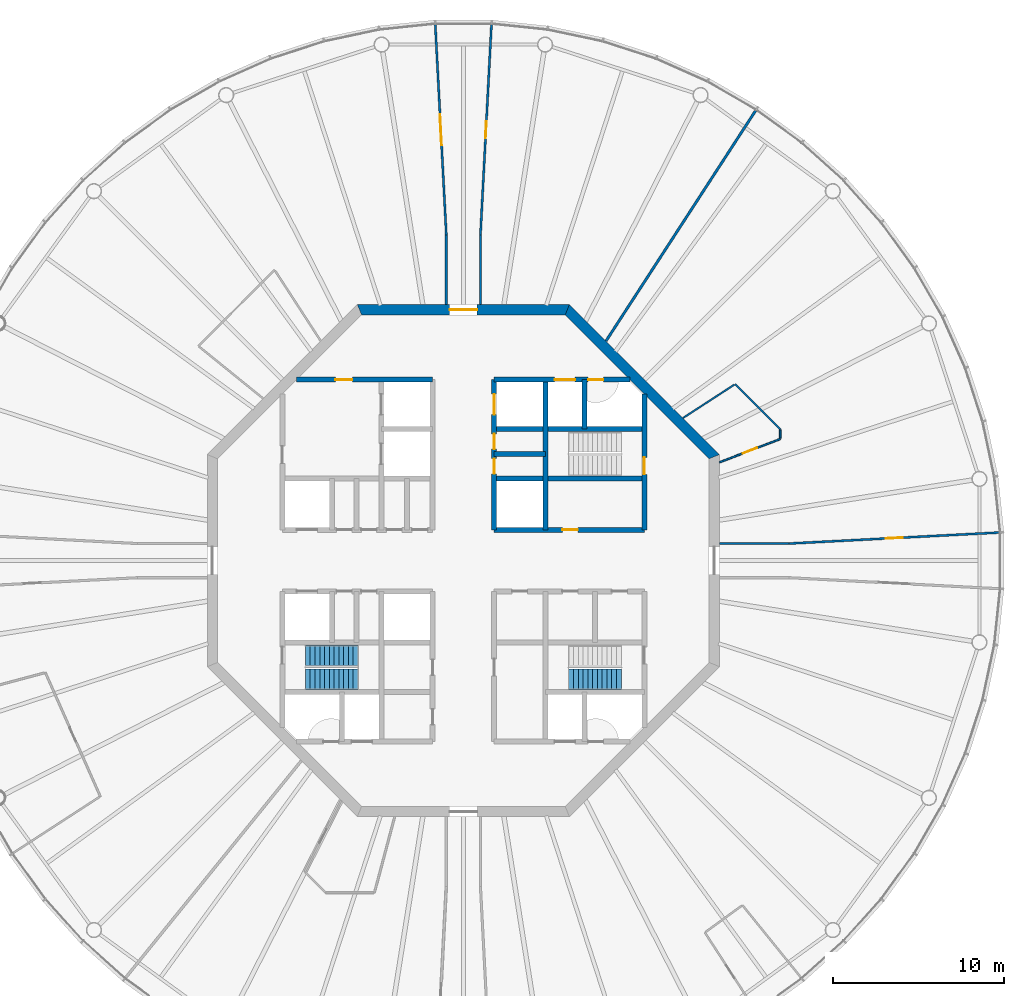
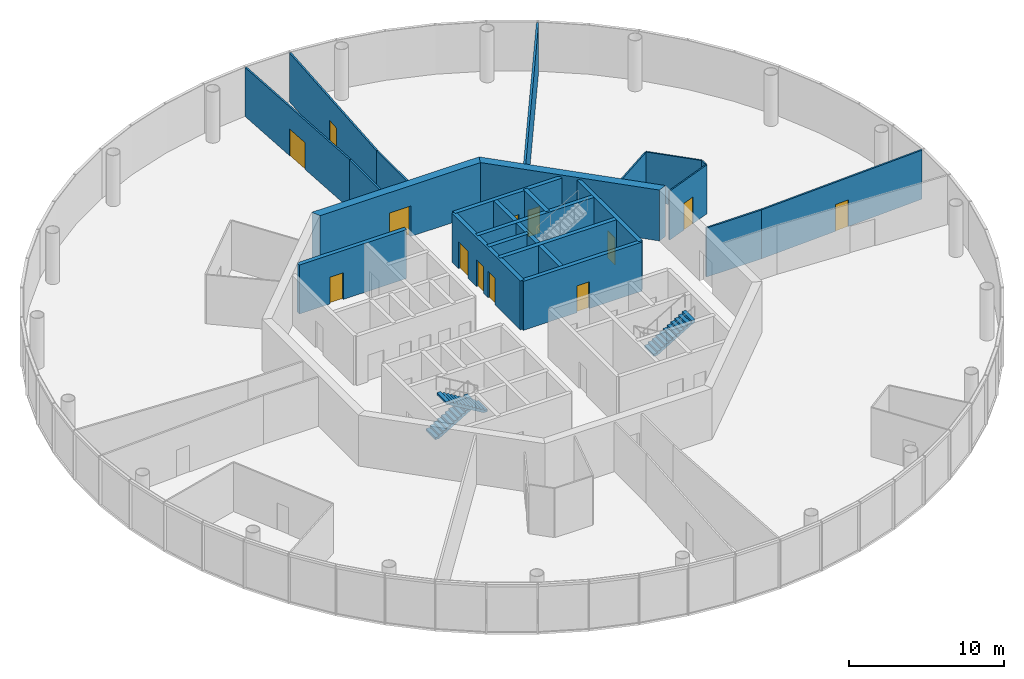
# One storey, part 5 of 13: 23 walls, 13 doors, 3 stair flights, 13 openings, 2 elements without a shape of their own.
"""IFC4 building model written with IfcOpenShell, lengths in metres."""

import ifcopenshell
import ifcopenshell.guid

model = None  # the IFC model being written
_history = None  # IfcOwnerHistory: only IFC2X3 demands one
_inside = {}  # id of a spatial element -> (the spatial element, [elements in it])
_under = {}  # id of a project, library or spatial element -> (it, [spatial elements below it])
_declared = {}  # id of a project -> (the project, [libraries it declares])
_typed = {}  # id of a type object -> (the type object, [elements of that type])
_made_of = {}  # id of a material, layer set ... -> (it, [elements and type objects made of it])


def new_model(schema):
    """Start an empty IFC model of exactly this schema.

    Asked for "IFC4X3", IfcOpenShell would pick the latest addendum, in which some entities
    have other attributes; the version numbers below select the first issue.
    IFC2X3 requires an IfcOwnerHistory on every rooted entity: one is made here for all.
    """
    global model, _history
    if schema == "IFC4X3":
        model = ifcopenshell.file(schema_version=(4, 3, 0, 0))
    else:
        model = ifcopenshell.file(schema=schema)
    _inside.clear()
    _under.clear()
    _declared.clear()
    _typed.clear()
    _made_of.clear()
    _history = None
    if model.schema == "IFC2X3":
        org = make("IfcOrganization", Name="unknown")
        user = make(
            "IfcPersonAndOrganization",
            ThePerson=make("IfcPerson", FamilyName="unknown"),
            TheOrganization=org,
        )
        app = make(
            "IfcApplication",
            ApplicationDeveloper=org,
            Version="unknown",
            ApplicationFullName="unknown",
            ApplicationIdentifier="unknown",
        )
        _history = make(
            "IfcOwnerHistory",
            OwningUser=user,
            OwningApplication=app,
            ChangeAction="ADDED",
            CreationDate=0,
        )
    return model


def make(cls, **values):
    """One entity of the class cls with the attributes given. An attribute that is None is left unset."""
    return model.create_entity(
        cls, **{name: value for name, value in values.items() if value is not None}
    )


def rooted(cls, **values):
    """An entity with a GlobalId (a new one), such as an element, a storey or a relation."""
    return make(cls, GlobalId=ifcopenshell.guid.new(), OwnerHistory=_history, **values)


def si_unit(unit_type, name, prefix=None):
    """IfcSIUnit, for example si_unit("LENGTHUNIT", "METRE", prefix="MILLI")."""
    return make("IfcSIUnit", UnitType=unit_type, Prefix=prefix, Name=name)


def assignment(units):
    """IfcUnitAssignment: the units of a project."""
    return None if units is None else make("IfcUnitAssignment", Units=units)


def point(xyz):
    """IfcCartesianPoint."""
    return None if xyz is None else make("IfcCartesianPoint", Coordinates=xyz)


def direction(xyz):
    """IfcDirection."""
    return None if xyz is None else make("IfcDirection", DirectionRatios=xyz)


def frame(location, z_axis=None, x_axis=None):
    """IfcAxis2Placement3D, a coordinate frame: its origin and axes. An axis left out is left unset."""
    return make(
        "IfcAxis2Placement3D",
        Location=point(location),
        Axis=direction(z_axis),
        RefDirection=direction(x_axis),
    )


def frame_2d(location, x_axis=None):
    """IfcAxis2Placement2D, a coordinate frame in the plane: its origin and x axis."""
    return make(
        "IfcAxis2Placement2D", Location=point(location), RefDirection=direction(x_axis)
    )


def origin():
    """The frame at (0, 0, 0) with its axes left unset."""
    return frame((0.0, 0.0, 0.0))


def place(relative_to, where):
    """IfcLocalPlacement: puts the frame where relative to a parent placement (None: the world)."""
    return make(
        "IfcLocalPlacement", PlacementRelTo=relative_to, RelativePlacement=where
    )


def context(
    kind, dimensions, precision=None, world=None, true_north=None, identifier=None
):
    """IfcGeometricRepresentationContext, for example the 3D "Model" context."""
    return make(
        "IfcGeometricRepresentationContext",
        ContextIdentifier=identifier,
        ContextType=kind,
        CoordinateSpaceDimension=dimensions,
        Precision=precision,
        WorldCoordinateSystem=world,
        TrueNorth=true_north,
    )


def subcontext(parent, identifier, kind, view, scale=None):
    """IfcGeometricRepresentationSubContext, for example "Body" below "Model"."""
    return make(
        "IfcGeometricRepresentationSubContext",
        ContextIdentifier=identifier,
        ContextType=kind,
        ParentContext=parent,
        TargetScale=scale,
        TargetView=view,
    )


def project(units=None, contexts=None):
    """IfcProject with its units and contexts."""
    return rooted(
        "IfcProject",
        Name="project",
        RepresentationContexts=contexts,
        UnitsInContext=assignment(units),
    )


def spatial(cls, under=None, at=None, **own):
    """A site, building, storey or space (cls), placed at a placement, below another one or the project."""
    s = rooted(cls, ObjectPlacement=at, **own)
    if under is not None:
        _under.setdefault(under.id(), (under, []))[1].append(s)
    return s


def polyline(points):
    """IfcPolyline through the points."""
    return make("IfcPolyline", Points=[point(p) for p in points])


def profile(cls, at=None, kind="AREA", **sizes):
    """A parametric profile (cls). Its sizes go by their IFC names, for example OverallWidth=200.0."""
    return make(cls, ProfileType=kind, Position=at, **sizes)


def rectangle(**sizes):
    """IfcRectangleProfileDef."""
    return profile("IfcRectangleProfileDef", **sizes)


def outline(outer, holes=None, kind="AREA"):
    """IfcArbitraryClosedProfileDef: a profile drawn as a closed curve; with holes, ...WithVoids."""
    if holes is None:
        return make("IfcArbitraryClosedProfileDef", ProfileType=kind, OuterCurve=outer)
    return make(
        "IfcArbitraryProfileDefWithVoids",
        ProfileType=kind,
        OuterCurve=outer,
        InnerCurves=holes,
    )


def extrude(swept, where, along, depth):
    """IfcExtrudedAreaSolid: the profile swept, set in the frame where, extruded along a direction by depth."""
    return make(
        "IfcExtrudedAreaSolid",
        SweptArea=swept,
        Position=where,
        ExtrudedDirection=direction(along),
        Depth=depth,
    )


def shape(context_of_items, identifier, shape_type, items):
    """IfcShapeRepresentation: the items that make up one representation, for example the "Body"."""
    return make(
        "IfcShapeRepresentation",
        ContextOfItems=context_of_items,
        RepresentationIdentifier=identifier,
        RepresentationType=shape_type,
        Items=items,
    )


def material(Name=None, Category=None):
    """IfcMaterial."""
    return make("IfcMaterial", Name=Name, Category=Category)


def layer(
    of_material, thickness, ventilated=None, Name=None, Category=None, Priority=None
):
    """IfcMaterialLayer: one layer of a wall or slab, of a material (None: an air gap)."""
    return make(
        "IfcMaterialLayer",
        Material=of_material,
        LayerThickness=thickness,
        IsVentilated=ventilated,
        Name=Name,
        Category=Category,
        Priority=Priority,
    )


def layer_set(layers, Name=None):
    """IfcMaterialLayerSet."""
    return make("IfcMaterialLayerSet", MaterialLayers=layers, LayerSetName=Name)


def made_of(thing, what):
    """Note that an element or type object is made of a material, layer set ...; save() writes the relation."""
    if what is not None:
        _made_of.setdefault(what.id(), (what, []))[1].append(thing)
    return thing


def type_object(cls, material=None, **own):
    """A type object (cls), such as IfcWallType, which elements share."""
    return made_of(rooted(cls, **own), material)


def element(
    cls,
    number,
    at=None,
    inside=None,
    cuts=None,
    type_object=None,
    material=None,
    context=None,
    identifier="Body",
    shape_type=None,
    held_by="IfcProductDefinitionShape",
    body=None,
    shapes=None,
    **own,
):
    """One element of the class cls, such as IfcWall. Its Tag is "e" and its number.

    at: its placement. inside: the storey or other place that contains it. cuts: it is an
    opening in that element (IfcRelVoidsElement). A single representation is given by context,
    identifier, shape_type and body (its items); several are given by shapes. held_by: the class
    of the entity that holds the representations. save() writes the other relations.
    """
    e = rooted(cls, Tag="e%d" % number, ObjectPlacement=at, **own)
    if body is not None:
        shapes = [shape(context, identifier, shape_type, body)]
    if shapes is not None:
        e.Representation = make(held_by, Representations=shapes)
    if inside is not None:
        _inside.setdefault(inside.id(), (inside, []))[1].append(e)
    if cuts is not None:
        rooted(
            "IfcRelVoidsElement", RelatingBuildingElement=cuts, RelatedOpeningElement=e
        )
    if type_object is not None:
        _typed.setdefault(type_object.id(), (type_object, []))[1].append(e)
    return made_of(e, material)


def fill(opening, filler):
    """IfcRelFillsElement: the door or window that sits in an opening."""
    return rooted(
        "IfcRelFillsElement",
        RelatingOpeningElement=opening,
        RelatedBuildingElement=filler,
    )


def aggregate(whole, parts):
    """IfcRelAggregates: a whole, such as a stair, and the parts it consists of."""
    return rooted("IfcRelAggregates", RelatingObject=whole, RelatedObjects=parts)


def save(model, path):
    """Write the relations noted so far, then the file.

    IfcRelAggregates (storeys below a building ...), IfcRelContainedInSpatialStructure (elements
    in a storey), IfcRelDefinesByType, IfcRelAssociatesMaterial and IfcRelDeclares: one each for
    every whole, place, type object, material and project.
    """
    for whole, parts in _under.values():
        aggregate(whole, parts)
    for where, things in _inside.values():
        rooted(
            "IfcRelContainedInSpatialStructure",
            RelatedElements=things,
            RelatingStructure=where,
        )
    for kind, things in _typed.values():
        rooted("IfcRelDefinesByType", RelatedObjects=things, RelatingType=kind)
    for what, things in _made_of.values():
        rooted("IfcRelAssociatesMaterial", RelatedObjects=things, RelatingMaterial=what)
    for by, libraries in _declared.values():
        rooted("IfcRelDeclares", RelatingContext=by, RelatedDefinitions=libraries)
    model.write(path)


model = new_model("IFC4")

# Units and contexts
model_context = context("Model", 3, precision=1e-05, world=origin(), true_north=direction((0.0, 1.0)))
body_context = subcontext(model_context, "Body", "Model", "MODEL_VIEW")
ifc_project = project(units=[si_unit("LENGTHUNIT", "METRE"), si_unit("AREAUNIT", "SQUARE_METRE"), si_unit("VOLUMEUNIT", "CUBIC_METRE"), si_unit("PLANEANGLEUNIT", "RADIAN"), si_unit("MASSUNIT", "GRAM", prefix="KILO")], contexts=[model_context])

# Site, building, storey
site_placement = place(None, origin())
site = spatial("IfcSite", under=ifc_project, at=site_placement, CompositionType="ELEMENT")
building_placement = place(site_placement, origin())
building = spatial("IfcBuilding", under=site, at=building_placement, Name="Entoto Ring Tower", CompositionType="ELEMENT")
storey_placement = place(building_placement, frame((0.0, 0.0, 380.0)))
storey = spatial("IfcBuildingStorey", under=building, at=storey_placement, Name="L88", CompositionType="ELEMENT", Elevation=380.0)

# Wall, opening, door
ifc_material_1 = material(Name="Concrete C40/50", Category="concrete")
ifc_layer_1 = layer(ifc_material_1, 0.300048828125)
ifc_layer_set_1 = layer_set([ifc_layer_1], Name="Concrete C40/50")
wall_type_1 = type_object("IfcWallType", Name="Core enclosure wall 300 mm reinforced concrete", PredefinedType="SOLIDWALL", material=ifc_layer_set_1)
wall_1_placement = place(storey_placement, frame((100.60009765625, 81.800048828125, 0.0), z_axis=(0.0, 0.0, 1.0), x_axis=(0.0, 1.0, 0.0)))
wall_1 = element("IfcWall", 1, at=wall_1_placement, inside=storey, type_object=wall_type_1, Name="wall-L88-002", PredefinedType="SOLIDWALL", context=body_context, shape_type="SweptSolid", body=[
    extrude(rectangle(XDim=7.964599609375, YDim=0.300048828125, at=frame_2d((3.982421875, 0.0))), origin(), (0.0, 0.0, 1.0), 3.85009765625),
])
opening_1_placement = place(wall_1_placement, frame((3.25, 0.0, 0.0)))
opening_1 = element("IfcOpeningElement", 2, at=opening_1_placement, cuts=wall_1, Name="Opening K-26", PredefinedType="OPENING", context=body_context, shape_type="SweptSolid", body=[
    extrude(rectangle(XDim=1.0, YDim=2.10009765625, at=frame_2d((0.5, 1.050048828125))), frame((0.0, 0.16015625, 0.0), z_axis=(0.0, -1.0, 0.0), x_axis=(1.0, 0.0, 0.0)), (0.0, 0.0, 1.0), 0.320068359375),
])
ifc_material_2 = material(Name="Steel door leaf, fire rated", Category="steel")
ifc_layer_2 = layer(ifc_material_2, 0.050048828125)
ifc_layer_set_2 = layer_set([ifc_layer_2], Name="Steel door leaf, fire rated")
door_type_1 = type_object("IfcDoorType", Name="Fire door FD60 1000 x 2100 single leaf", OperationType="NOTDEFINED", PredefinedType="DOOR", material=ifc_layer_set_2)
door_1_placement = place(opening_1_placement, origin())
door_1 = element("IfcDoor", 3, at=door_1_placement, inside=storey, type_object=door_type_1, Name="Door K-26", OperationType="SINGLE_SWING_LEFT", OverallHeight=2.10009765625, OverallWidth=1.0, PredefinedType="DOOR", context=body_context, shape_type="SweptSolid", body=[
    extrude(rectangle(XDim=1.0, YDim=2.10009765625, at=frame_2d((0.5, 1.050048828125))), frame((0.0, 0.02490234375, 0.0), z_axis=(0.0, -1.0, 0.0), x_axis=(1.0, 0.0, 0.0)), (0.0, 0.0, 1.0), 0.050048828125),
])
fill(opening_1, door_1)

# Walls
wall_2_placement = place(storey_placement, frame((97.10009765625, 87.699951171875, 0.0), z_axis=(0.0, 0.0, 1.0), x_axis=(0.0, 1.0, 0.0)))
element("IfcWall", 4, at=wall_2_placement, inside=storey, type_object=wall_type_1, Name="wall-L88-005", PredefinedType="SOLIDWALL", context=body_context, shape_type="SweptSolid", body=[
    extrude(rectangle(XDim=2.900146484375, YDim=0.300048828125, at=frame_2d((1.4501953125, 0.0))), origin(), (0.0, 0.0, 1.0), 3.85009765625),
])
wall_3_placement = place(storey_placement, frame((94.800048828125, 81.800048828125, 0.0), z_axis=(0.0, 0.0, 1.0), x_axis=(0.0, 1.0, 0.0)))
element("IfcWall", 5, at=wall_3_placement, inside=storey, type_object=wall_type_1, Name="wall-L88-007", PredefinedType="SOLIDWALL", context=body_context, shape_type="SweptSolid", body=[
    extrude(rectangle(XDim=8.800048828125, YDim=0.300048828125, at=frame_2d((4.39990234375, 0.0))), origin(), (0.0, 0.0, 1.0), 3.85009765625),
])

# Wall, openings, doors
wall_4_placement = place(storey_placement, frame((91.800048828125, 81.800048828125, 0.0), z_axis=(0.0, 0.0, 1.0), x_axis=(0.0, 1.0, 0.0)))
wall_4 = element("IfcWall", 6, at=wall_4_placement, inside=storey, type_object=wall_type_1, Name="wall-L88-009", PredefinedType="SOLIDWALL", context=body_context, shape_type="SweptSolid", body=[
    extrude(rectangle(XDim=8.800048828125, YDim=0.300048828125, at=frame_2d((4.39990234375, 0.0))), origin(), (0.0, 0.0, 1.0), 3.85009765625),
])
opening_2_placement = place(wall_4_placement, frame((6.75, 0.0, 0.0)))
opening_2 = element("IfcOpeningElement", 7, at=opening_2_placement, cuts=wall_4, Name="Opening LD", PredefinedType="OPENING", context=body_context, shape_type="SweptSolid", body=[
    extrude(rectangle(XDim=1.199951171875, YDim=2.10009765625, at=frame_2d((0.60009765625, 1.050048828125))), frame((0.0, 0.16015625, 0.0), z_axis=(0.0, -1.0, 0.0), x_axis=(1.0, 0.0, 0.0)), (0.0, 0.0, 1.0), 0.320068359375),
])
opening_3_placement = place(wall_4_placement, frame((3.27490234375, 0.0, 0.0)))
opening_3 = element("IfcOpeningElement", 8, at=opening_3_placement, cuts=wall_4, Name="Opening K-18", PredefinedType="OPENING", context=body_context, shape_type="SweptSolid", body=[
    extrude(rectangle(XDim=0.89990234375, YDim=2.10009765625, at=frame_2d((0.449951171875, 1.050048828125))), frame((0.0, 0.16015625, 0.0), z_axis=(0.0, -1.0, 0.0), x_axis=(1.0, 0.0, 0.0)), (0.0, 0.0, 1.0), 0.320068359375),
])
opening_4_placement = place(wall_4_placement, frame((4.72509765625, 0.0, 0.0)))
opening_4 = element("IfcOpeningElement", 9, at=opening_4_placement, cuts=wall_4, Name="Opening K-19", PredefinedType="OPENING", context=body_context, shape_type="SweptSolid", body=[
    extrude(rectangle(XDim=0.89990234375, YDim=2.10009765625, at=frame_2d((0.449951171875, 1.050048828125))), frame((0.0, 0.16015625, 0.0), z_axis=(0.0, -1.0, 0.0), x_axis=(1.0, 0.0, 0.0)), (0.0, 0.0, 1.0), 0.320068359375),
])
ifc_material_3 = material(Name="Steel door leaf, fire rated", Category="steel")
ifc_layer_3 = layer(ifc_material_3, 0.050048828125)
ifc_layer_set_3 = layer_set([ifc_layer_3], Name="Steel door leaf, fire rated")
door_type_2 = type_object("IfcDoorType", Name="Core door 900 x 2100 single leaf", OperationType="NOTDEFINED", PredefinedType="DOOR", material=ifc_layer_set_3)
door_2_placement = place(opening_3_placement, frame((0.89990234375, 0.0, 0.0), z_axis=(0.0, 0.0, 1.0), x_axis=(-1.0, 0.0, 0.0)))
door_2 = element("IfcDoor", 10, at=door_2_placement, inside=storey, type_object=door_type_2, Name="Door K-18", OperationType="SINGLE_SWING_LEFT", OverallHeight=2.10009765625, OverallWidth=0.89990234375, PredefinedType="DOOR", context=body_context, shape_type="SweptSolid", body=[
    extrude(rectangle(XDim=0.89990234375, YDim=2.10009765625, at=frame_2d((0.449951171875, 1.050048828125))), frame((0.0, 0.02490234375, 0.0), z_axis=(0.0, -1.0, 0.0), x_axis=(1.0, 0.0, 0.0)), (0.0, 0.0, 1.0), 0.050048828125),
])
fill(opening_3, door_2)
door_3_placement = place(opening_4_placement, frame((0.89990234375, 0.0, 0.0), z_axis=(0.0, 0.0, 1.0), x_axis=(-1.0, 0.0, 0.0)))
door_3 = element("IfcDoor", 11, at=door_3_placement, inside=storey, type_object=door_type_2, Name="Door K-19", OperationType="SINGLE_SWING_RIGHT", OverallHeight=2.10009765625, OverallWidth=0.89990234375, PredefinedType="DOOR", context=body_context, shape_type="SweptSolid", body=[
    extrude(rectangle(XDim=0.89990234375, YDim=2.10009765625, at=frame_2d((0.449951171875, 1.050048828125))), frame((0.0, 0.02490234375, 0.0), z_axis=(0.0, -1.0, 0.0), x_axis=(1.0, 0.0, 0.0)), (0.0, 0.0, 1.0), 0.050048828125),
])
fill(opening_4, door_3)
ifc_material_4 = material(Name="Steel and glass door leaf", Category="steel")
ifc_layer_4 = layer(ifc_material_4, 0.050048828125)
ifc_layer_set_4 = layer_set([ifc_layer_4], Name="Steel and glass door leaf")
door_type_3 = type_object("IfcDoorType", Name="Landing door 1200 x 2100 sliding", OperationType="DOUBLE_DOOR_SLIDING", PredefinedType="DOOR", material=ifc_layer_set_4)
door_4_placement = place(opening_2_placement, origin())
door_4 = element("IfcDoor", 12, at=door_4_placement, inside=storey, type_object=door_type_3, Name="Landing door SH3", OperationType="SLIDING_TO_RIGHT", OverallHeight=2.10009765625, OverallWidth=1.199951171875, PredefinedType="DOOR", context=body_context, shape_type="SweptSolid", body=[
    extrude(rectangle(XDim=1.199951171875, YDim=2.10009765625, at=frame_2d((0.60009765625, 1.050048828125))), frame((0.0, 0.02490234375, 0.0), z_axis=(0.0, -1.0, 0.0), x_axis=(1.0, 0.0, 0.0)), (0.0, 0.0, 1.0), 0.050048828125),
])
fill(opening_2, door_4)

# Wall, opening, door
wall_5_placement = place(storey_placement, frame((91.800048828125, 81.800048828125, 0.0), z_axis=(0.0, 0.0, 1.0), x_axis=(1.0, 0.0, 0.0)))
wall_5 = element("IfcWall", 13, at=wall_5_placement, inside=storey, type_object=wall_type_1, Name="wall-L88-031", PredefinedType="SOLIDWALL", context=body_context, shape_type="SweptSolid", body=[
    extrude(rectangle(XDim=8.800048828125, YDim=0.300048828125, at=frame_2d((4.39990234375, 0.0))), origin(), (0.0, 0.0, 1.0), 3.85009765625),
])
opening_5_placement = place(wall_5_placement, frame((4.0, 0.0, 0.0)))
opening_5 = element("IfcOpeningElement", 14, at=opening_5_placement, cuts=wall_5, Name="Opening K-11", PredefinedType="OPENING", context=body_context, shape_type="SweptSolid", body=[
    extrude(rectangle(XDim=0.89990234375, YDim=2.10009765625, at=frame_2d((0.449951171875, 1.050048828125))), frame((0.0, 0.16015625, 0.0), z_axis=(0.0, -1.0, 0.0), x_axis=(1.0, 0.0, 0.0)), (0.0, 0.0, 1.0), 0.320068359375),
])
door_5_placement = place(opening_5_placement, origin())
door_5 = element("IfcDoor", 15, at=door_5_placement, inside=storey, type_object=door_type_2, Name="Door K-11", OperationType="SINGLE_SWING_LEFT", OverallHeight=2.10009765625, OverallWidth=0.89990234375, PredefinedType="DOOR", context=body_context, shape_type="SweptSolid", body=[
    extrude(rectangle(XDim=0.89990234375, YDim=2.10009765625, at=frame_2d((0.449951171875, 1.050048828125))), frame((0.0, 0.02490234375, 0.0), z_axis=(0.0, -1.0, 0.0), x_axis=(1.0, 0.0, 0.0)), (0.0, 0.0, 1.0), 0.050048828125),
])
fill(opening_5, door_5)

# Walls
wall_6_placement = place(storey_placement, frame((91.800048828125, 84.800048828125, 0.0), z_axis=(0.0, 0.0, 1.0), x_axis=(1.0, 0.0, 0.0)))
element("IfcWall", 16, at=wall_6_placement, inside=storey, type_object=wall_type_1, Name="wall-L88-033", PredefinedType="SOLIDWALL", context=body_context, shape_type="SweptSolid", body=[
    extrude(rectangle(XDim=8.800048828125, YDim=0.300048828125, at=frame_2d((4.39990234375, 0.0))), origin(), (0.0, 0.0, 1.0), 3.85009765625),
])
wall_7_placement = place(storey_placement, frame((91.800048828125, 86.25, 0.0), z_axis=(0.0, 0.0, 1.0), x_axis=(1.0, 0.0, 0.0)))
element("IfcWall", 17, at=wall_7_placement, inside=storey, type_object=wall_type_1, Name="wall-L88-034", PredefinedType="SOLIDWALL", context=body_context, shape_type="SweptSolid", body=[
    extrude(rectangle(XDim=3.0, YDim=0.300048828125, at=frame_2d((1.5, 0.0))), origin(), (0.0, 0.0, 1.0), 3.85009765625),
])
wall_8_placement = place(storey_placement, frame((91.800048828125, 87.699951171875, 0.0), z_axis=(0.0, 0.0, 1.0), x_axis=(1.0, 0.0, 0.0)))
element("IfcWall", 18, at=wall_8_placement, inside=storey, type_object=wall_type_1, Name="wall-L88-036", PredefinedType="SOLIDWALL", context=body_context, shape_type="SweptSolid", body=[
    extrude(rectangle(XDim=8.800048828125, YDim=0.300048828125, at=frame_2d((4.39990234375, 0.0))), origin(), (0.0, 0.0, 1.0), 3.85009765625),
])

# Wall, opening, door
wall_9_placement = place(storey_placement, frame((80.2353515625, 90.60009765625, 0.0), z_axis=(0.0, 0.0, 1.0), x_axis=(1.0, 0.0, 0.0)))
wall_9 = element("IfcWall", 19, at=wall_9_placement, inside=storey, type_object=wall_type_1, Name="wall-L88-037", PredefinedType="SOLIDWALL", context=body_context, shape_type="SweptSolid", body=[
    extrude(rectangle(XDim=7.964599609375, YDim=0.300048828125, at=frame_2d((3.982421875, 0.0))), origin(), (0.0, 0.0, 1.0), 3.85009765625),
])
opening_6_placement = place(wall_9_placement, frame((2.2646484375, 0.0, 0.0)))
opening_6 = element("IfcOpeningElement", 20, at=opening_6_placement, cuts=wall_9, Name="Opening K-87", PredefinedType="OPENING", context=body_context, shape_type="SweptSolid", body=[
    extrude(rectangle(XDim=1.0, YDim=2.10009765625, at=frame_2d((0.5, 1.050048828125))), frame((0.0, 0.16015625, 0.0), z_axis=(0.0, -1.0, 0.0), x_axis=(1.0, 0.0, 0.0)), (0.0, 0.0, 1.0), 0.320068359375),
])
door_6_placement = place(opening_6_placement, frame((1.0, 0.0, 0.0), z_axis=(0.0, 0.0, 1.0), x_axis=(-1.0, 0.0, 0.0)))
door_6 = element("IfcDoor", 21, at=door_6_placement, inside=storey, type_object=door_type_1, Name="Door K-87", OperationType="SINGLE_SWING_LEFT", OverallHeight=2.10009765625, OverallWidth=1.0, PredefinedType="DOOR", context=body_context, shape_type="SweptSolid", body=[
    extrude(rectangle(XDim=1.0, YDim=2.10009765625, at=frame_2d((0.5, 1.050048828125))), frame((0.0, 0.02490234375, 0.0), z_axis=(0.0, -1.0, 0.0), x_axis=(1.0, 0.0, 0.0)), (0.0, 0.0, 1.0), 0.050048828125),
])
fill(opening_6, door_6)

# Wall, openings, doors
wall_10_placement = place(storey_placement, frame((91.800048828125, 90.60009765625, 0.0), z_axis=(0.0, 0.0, 1.0), x_axis=(1.0, 0.0, 0.0)))
wall_10 = element("IfcWall", 22, at=wall_10_placement, inside=storey, type_object=wall_type_1, Name="wall-L88-038", PredefinedType="SOLIDWALL", context=body_context, shape_type="SweptSolid", body=[
    extrude(rectangle(XDim=7.964599609375, YDim=0.300048828125, at=frame_2d((3.982421875, 0.0))), origin(), (0.0, 0.0, 1.0), 3.85009765625),
])
opening_7_placement = place(wall_10_placement, frame((3.550048828125, 0.0, 0.0)))
opening_7 = element("IfcOpeningElement", 23, at=opening_7_placement, cuts=wall_10, Name="Opening LD", PredefinedType="OPENING", context=body_context, shape_type="SweptSolid", body=[
    extrude(rectangle(XDim=1.199951171875, YDim=2.10009765625, at=frame_2d((0.60009765625, 1.050048828125))), frame((0.0, 0.16015625, 0.0), z_axis=(0.0, -1.0, 0.0), x_axis=(1.0, 0.0, 0.0)), (0.0, 0.0, 1.0), 0.320068359375),
])
opening_8_placement = place(wall_10_placement, frame((5.5, 0.0, 0.0)))
opening_8 = element("IfcOpeningElement", 24, at=opening_8_placement, cuts=wall_10, Name="Opening K-83", PredefinedType="OPENING", context=body_context, shape_type="SweptSolid", body=[
    extrude(rectangle(XDim=0.89990234375, YDim=2.10009765625, at=frame_2d((0.449951171875, 1.050048828125))), frame((0.0, 0.16015625, 0.0), z_axis=(0.0, -1.0, 0.0), x_axis=(1.0, 0.0, 0.0)), (0.0, 0.0, 1.0), 0.320068359375),
])
door_7_placement = place(opening_7_placement, origin())
door_7 = element("IfcDoor", 25, at=door_7_placement, inside=storey, type_object=door_type_3, Name="Landing door LB1-HR", OperationType="SLIDING_TO_RIGHT", OverallHeight=2.10009765625, OverallWidth=1.199951171875, PredefinedType="DOOR", context=body_context, shape_type="SweptSolid", body=[
    extrude(rectangle(XDim=1.199951171875, YDim=2.10009765625, at=frame_2d((0.60009765625, 1.050048828125))), frame((0.0, 0.02490234375, 0.0), z_axis=(0.0, -1.0, 0.0), x_axis=(1.0, 0.0, 0.0)), (0.0, 0.0, 1.0), 0.050048828125),
])
fill(opening_7, door_7)
ifc_material_5 = material(Name="Steel door leaf, fire rated", Category="steel")
ifc_layer_5 = layer(ifc_material_5, 0.050048828125)
ifc_layer_set_5 = layer_set([ifc_layer_5], Name="Steel door leaf, fire rated")
door_type_4 = type_object("IfcDoorType", Name="Riser door FD60 900 x 2100 single leaf", OperationType="NOTDEFINED", PredefinedType="DOOR", material=ifc_layer_set_5)
door_8_placement = place(opening_8_placement, frame((0.89990234375, 0.0, 0.0), z_axis=(0.0, 0.0, 1.0), x_axis=(-1.0, 0.0, 0.0)))
door_8 = element("IfcDoor", 26, at=door_8_placement, inside=storey, type_object=door_type_4, Name="Door K-83", OperationType="SINGLE_SWING_RIGHT", OverallHeight=2.10009765625, OverallWidth=0.89990234375, PredefinedType="DOOR", context=body_context, shape_type="SweptSolid", body=[
    extrude(rectangle(XDim=0.89990234375, YDim=2.10009765625, at=frame_2d((0.449951171875, 1.050048828125))), frame((0.0, 0.02490234375, 0.0), z_axis=(0.0, -1.0, 0.0), x_axis=(1.0, 0.0, 0.0)), (0.0, 0.0, 1.0), 0.050048828125),
])
fill(opening_8, door_8)

# Wall
ifc_material_6 = material(Name="Concrete C40/50", Category="concrete")
ifc_layer_6 = layer(ifc_material_6, 0.60009765625)
ifc_layer_set_6 = layer_set([ifc_layer_6], Name="Concrete C40/50")
wall_type_2 = type_object("IfcWallType", Name="Core shear wall 600 mm reinforced concrete C40/50", PredefinedType="SHEAR", material=ifc_layer_set_6)
wall_11_placement = place(storey_placement, frame((104.699951171875, 86.0888671875, 0.0), z_axis=(0.0, 0.0, 1.0), x_axis=(-0.707106781187, 0.707106781187, 0.0)))
element("IfcWall", 27, at=wall_11_placement, inside=storey, type_object=wall_type_2, Name="wall-L88-core-1", PredefinedType="SHEAR", context=body_context, shape_type="SweptSolid", body=[
    extrude(outline(polyline([(-0.124267578125, -0.300048828125), (12.30224609375, -0.300048828125), (12.0537109375, 0.300048828125), (0.124267578125, 0.300048828125), (-0.124267578125, -0.300048828125)])), origin(), (0.0, 0.0, 1.0), 4.0),
])

# Wall, opening, door
wall_12_placement = place(storey_placement, frame((96.0888671875, 94.699951171875, 0.0), z_axis=(0.0, 0.0, 1.0), x_axis=(-1.0, 0.0, 0.0)))
wall_12 = element("IfcWall", 28, at=wall_12_placement, inside=storey, type_object=wall_type_2, Name="wall-L88-core-2", PredefinedType="SHEAR", context=body_context, shape_type="SweptSolid", body=[
    extrude(outline(polyline([(-0.124267578125, -0.300048828125), (12.302001953125, -0.300048828125), (12.053466796875, 0.300048828125), (0.124267578125, 0.300048828125), (-0.124267578125, -0.300048828125)])), origin(), (0.0, 0.0, 1.0), 4.0),
])
opening_9_placement = place(wall_12_placement, frame((5.288818359375, 0.0, 0.0)))
opening_9 = element("IfcOpeningElement", 29, at=opening_9_placement, cuts=wall_12, Name="Opening K-02", PredefinedType="OPENING", context=body_context, shape_type="SweptSolid", body=[
    extrude(rectangle(XDim=1.60009765625, YDim=2.39990234375, at=frame_2d((0.800048828125, 1.199951171875))), frame((0.0, 0.31005859375, 0.0), z_axis=(0.0, -1.0, 0.0), x_axis=(1.0, 0.0, 0.0)), (0.0, 0.0, 1.0), 0.6201171875),
])
ifc_material_7 = material(Name="Steel door leaf, fire rated", Category="steel")
ifc_layer_7 = layer(ifc_material_7, 0.050048828125)
ifc_layer_set_7 = layer_set([ifc_layer_7], Name="Steel door leaf, fire rated")
door_type_5 = type_object("IfcDoorType", Name="Entrance door FD60 1600 x 2400 double leaf", OperationType="DOUBLE_DOOR_SINGLE_SWING", PredefinedType="DOOR", material=ifc_layer_set_7)
door_9_placement = place(opening_9_placement, origin())
door_9 = element("IfcDoor", 30, at=door_9_placement, inside=storey, type_object=door_type_5, Name="Entrance door K-02", OperationType="DOUBLE_DOOR_SINGLE_SWING", OverallHeight=2.39990234375, OverallWidth=1.60009765625, PredefinedType="DOOR", context=body_context, shape_type="SweptSolid", body=[
    extrude(rectangle(XDim=1.60009765625, YDim=2.39990234375, at=frame_2d((0.800048828125, 1.199951171875))), frame((0.0, 0.02490234375, 0.0), z_axis=(0.0, -1.0, 0.0), x_axis=(1.0, 0.0, 0.0)), (0.0, 0.0, 1.0), 0.050048828125),
])
fill(opening_9, door_9)

ifc_material_8 = material(Name="Fire-resisting plasterboard on steel studs", Category="steel")
ifc_layer_8 = layer(ifc_material_8, 0.125)
ifc_layer_set_8 = layer_set([ifc_layer_8], Name="Fire-resisting plasterboard on steel studs")
wall_type_3 = type_object("IfcWallType", Name="Corridor wall 125 mm one-hour plasterboard on steel studs", PredefinedType="PARTITIONING", material=ifc_layer_set_8)
wall_13_placement = place(storey_placement, frame((89.0, 99.0810546875, 0.0), z_axis=(0.0, 0.0, 1.0), x_axis=(-0.052340638328, 0.998629289366, 0.0)))
wall_13 = element("IfcWall", 31, at=wall_13_placement, inside=storey, type_object=wall_type_3, Name="partition-L88-004", PredefinedType="PARTITIONING", context=body_context, shape_type="SweptSolid", body=[
    extrude(rectangle(XDim=12.332763671875, YDim=0.125, at=frame_2d((6.16650390625, 0.0))), origin(), (0.0, 0.0, 1.0), 3.85009765625),
])
opening_10_placement = place(wall_13_placement, frame((5.266357421875, 0.0, 0.0)))
opening_10 = element("IfcOpeningElement", 32, at=opening_10_placement, cuts=wall_13, Name="Opening A37-D04", PredefinedType="OPENING", context=body_context, shape_type="SweptSolid", body=[
    extrude(rectangle(XDim=1.800048828125, YDim=2.10009765625, at=frame_2d((0.89990234375, 1.050048828125))), frame((0.0, 0.072509765625, 0.0), z_axis=(0.0, -1.0, 0.0), x_axis=(1.0, 0.0, 0.0)), (0.0, 0.0, 1.0), 0.14501953125),
])
ifc_material_9 = material(Name="Fire-resisting timber door set", Category="wood")
door_type_6 = type_object("IfcDoorType", Name="Door 1800 x 2100 double leaf FD30S fire door", OperationType="DOUBLE_DOOR_SINGLE_SWING", PredefinedType="DOOR", material=ifc_material_9)
door_10_placement = place(opening_10_placement, frame((1.800048828125, 0.0, 0.0), z_axis=(0.0, 0.0, 1.0), x_axis=(-1.0, 0.0, 0.0)))
door_10 = element("IfcDoor", 33, at=door_10_placement, inside=storey, type_object=door_type_6, Name="Door A37-D04", OperationType="DOUBLE_DOOR_SINGLE_SWING", OverallHeight=2.10009765625, OverallWidth=1.800048828125, PredefinedType="DOOR", context=body_context, shape_type="SweptSolid", body=[
    extrude(rectangle(XDim=1.800048828125, YDim=2.10009765625, at=frame_2d((0.89990234375, 1.050048828125))), frame((0.0, 0.02490234375, 0.0), z_axis=(0.0, -1.0, 0.0), x_axis=(1.0, 0.0, 0.0)), (0.0, 0.0, 1.0), 0.050048828125),
])
fill(opening_10, door_10)

wall_14_placement = place(storey_placement, frame((91.0, 99.0810546875, 0.0), z_axis=(0.0, 0.0, 1.0), x_axis=(0.052340638328, 0.998629289366, 0.0)))
wall_14 = element("IfcWall", 34, at=wall_14_placement, inside=storey, type_object=wall_type_3, Name="partition-L88-005", PredefinedType="PARTITIONING", context=body_context, shape_type="SweptSolid", body=[
    extrude(rectangle(XDim=12.332763671875, YDim=0.125, at=frame_2d((6.16650390625, 0.0))), origin(), (0.0, 0.0, 1.0), 3.85009765625),
])
opening_11_placement = place(wall_14_placement, frame((5.666259765625, 0.0, 0.0)))
opening_11 = element("IfcOpeningElement", 35, at=opening_11_placement, cuts=wall_14, Name="Opening A37-D03", PredefinedType="OPENING", context=body_context, shape_type="SweptSolid", body=[
    extrude(rectangle(XDim=1.0, YDim=2.10009765625, at=frame_2d((0.5, 1.050048828125))), frame((0.0, 0.072509765625, 0.0), z_axis=(0.0, -1.0, 0.0), x_axis=(1.0, 0.0, 0.0)), (0.0, 0.0, 1.0), 0.14501953125),
])
ifc_material_10 = material(Name="Fire-resisting timber door set", Category="wood")
door_type_7 = type_object("IfcDoorType", Name="Door 1000 x 2100 single leaf FD30S fire door", OperationType="NOTDEFINED", PredefinedType="DOOR", material=ifc_material_10)
door_11_placement = place(opening_11_placement, frame((1.0, 0.0, 0.0), z_axis=(0.0, 0.0, 1.0), x_axis=(-1.0, 0.0, 0.0)))
door_11 = element("IfcDoor", 36, at=door_11_placement, inside=storey, type_object=door_type_7, Name="Door A37-D03", OperationType="SINGLE_SWING_LEFT", OverallHeight=2.10009765625, OverallWidth=1.0, PredefinedType="DOOR", context=body_context, shape_type="SweptSolid", body=[
    extrude(rectangle(XDim=1.0, YDim=2.10009765625, at=frame_2d((0.5, 1.050048828125))), frame((0.0, 0.02490234375, 0.0), z_axis=(0.0, -1.0, 0.0), x_axis=(1.0, 0.0, 0.0)), (0.0, 0.0, 1.0), 0.050048828125),
])
fill(opening_11, door_11)

wall_15_placement = place(storey_placement, frame((109.0810546875, 81.0, 0.0), z_axis=(0.0, 0.0, 1.0), x_axis=(0.998629289366, 0.052340638328, 0.0)))
wall_15 = element("IfcWall", 37, at=wall_15_placement, inside=storey, type_object=wall_type_3, Name="partition-L88-007", PredefinedType="PARTITIONING", context=body_context, shape_type="SweptSolid", body=[
    extrude(rectangle(XDim=12.332763671875, YDim=0.125, at=frame_2d((6.16650390625, 0.0))), origin(), (0.0, 0.0, 1.0), 3.85009765625),
])
opening_12_placement = place(wall_15_placement, frame((5.666259765625, 0.0, 0.0)))
opening_12 = element("IfcOpeningElement", 38, at=opening_12_placement, cuts=wall_15, Name="Opening A37-D01", PredefinedType="OPENING", context=body_context, shape_type="SweptSolid", body=[
    extrude(rectangle(XDim=1.0, YDim=2.10009765625, at=frame_2d((0.5, 1.050048828125))), frame((0.0, 0.072509765625, 0.0), z_axis=(0.0, -1.0, 0.0), x_axis=(1.0, 0.0, 0.0)), (0.0, 0.0, 1.0), 0.14501953125),
])
door_12_placement = place(opening_12_placement, origin())
door_12 = element("IfcDoor", 39, at=door_12_placement, inside=storey, type_object=door_type_7, Name="Door A37-D01", OperationType="SINGLE_SWING_RIGHT", OverallHeight=2.10009765625, OverallWidth=1.0, PredefinedType="DOOR", context=body_context, shape_type="SweptSolid", body=[
    extrude(rectangle(XDim=1.0, YDim=2.10009765625, at=frame_2d((0.5, 1.050048828125))), frame((0.0, 0.02490234375, 0.0), z_axis=(0.0, -1.0, 0.0), x_axis=(1.0, 0.0, 0.0)), (0.0, 0.0, 1.0), 0.050048828125),
])
fill(opening_12, door_12)

# Walls
for number, where, z_axis, x_axis, name in (
    (40, (89.0, 95.0, 0.0), (0.0, 0.0, 1.0), (0.0, 1.0, 0.0), "partition-L88-012"),
    (41, (91.0, 95.0, 0.0), (0.0, 0.0, 1.0), (0.0, 1.0, 0.0), "partition-L88-014"),
    (42, (105.0, 81.0, 0.0), (0.0, 0.0, 1.0), (1.0, 0.0, 0.0), "partition-L88-016"),
):
    element("IfcWall", number, at=place(storey_placement, frame(where, z_axis=z_axis, x_axis=x_axis)), inside=storey, type_object=wall_type_3, Name=name, PredefinedType="PARTITIONING", context=body_context, shape_type="SweptSolid", body=[
        extrude(rectangle(XDim=4.077880859375, YDim=0.125, at=frame_2d((2.0390625, 0.0))), origin(), (0.0, 0.0, 1.0), 3.85009765625),
    ])

# Wall, opening, door
ifc_material_11 = material(Name="Plasterboard on steel studs", Category="steel")
ifc_layer_9 = layer(ifc_material_11, 0.10009765625)
ifc_layer_set_9 = layer_set([ifc_layer_9], Name="Plasterboard on steel studs")
wall_type_4 = type_object("IfcWallType", Name="Partition 100 mm plasterboard on steel studs", PredefinedType="PARTITIONING", material=ifc_layer_set_9)
wall_16_placement = place(storey_placement, frame((105.0, 85.758056640625, 0.0), z_axis=(0.0, 0.0, 1.0), x_axis=(0.933591250886, 0.358339749774, 0.0)))
wall_16 = element("IfcWall", 43, at=wall_16_placement, inside=storey, type_object=wall_type_4, Name="partition-L88-029", PredefinedType="PARTITIONING", context=body_context, shape_type="SweptSolid", body=[
    extrude(rectangle(XDim=3.813232421875, YDim=0.10009765625, at=frame_2d((1.90673828125, 0.0))), origin(), (0.0, 0.0, 1.0), 3.85009765625),
])
opening_13_placement = place(wall_16_placement, frame((1.45654296875, 0.0, 0.0)))
opening_13 = element("IfcOpeningElement", 44, at=opening_13_placement, cuts=wall_16, Name="Opening A37-D02", PredefinedType="OPENING", context=body_context, shape_type="SweptSolid", body=[
    extrude(rectangle(XDim=0.89990234375, YDim=2.10009765625, at=frame_2d((0.449951171875, 1.050048828125))), frame((0.0, 0.06005859375, 0.0), z_axis=(0.0, -1.0, 0.0), x_axis=(1.0, 0.0, 0.0)), (0.0, 0.0, 1.0), 0.1201171875),
])
ifc_material_12 = material(Name="Veneered timber door leaf in timber frame", Category="wood")
door_type_8 = type_object("IfcDoorType", Name="Door 900 x 2100 single leaf timber veneer", OperationType="NOTDEFINED", PredefinedType="DOOR", material=ifc_material_12)
door_13_placement = place(opening_13_placement, origin())
door_13 = element("IfcDoor", 45, at=door_13_placement, inside=storey, type_object=door_type_8, Name="Door A37-D02", OperationType="SINGLE_SWING_LEFT", OverallHeight=2.10009765625, OverallWidth=0.89990234375, PredefinedType="DOOR", context=body_context, shape_type="SweptSolid", body=[
    extrude(rectangle(XDim=0.89990234375, YDim=2.10009765625, at=frame_2d((0.449951171875, 1.050048828125))), frame((0.0, 0.02490234375, 0.0), z_axis=(0.0, -1.0, 0.0), x_axis=(1.0, 0.0, 0.0)), (0.0, 0.0, 1.0), 0.050048828125),
])
fill(opening_13, door_13)

# Walls
wall_17_placement = place(storey_placement, frame((108.56005859375, 87.687744140625, 0.0), z_axis=(0.0, 0.0, 1.0), x_axis=(-0.707106781187, 0.707106781187, 0.0)))
element("IfcWall", 46, at=wall_17_placement, inside=storey, type_object=wall_type_4, Name="partition-L88-030", PredefinedType="PARTITIONING", context=body_context, shape_type="SweptSolid", body=[
    extrude(rectangle(XDim=3.74267578125, YDim=0.10009765625, at=frame_2d((1.871337890625, 0.0))), origin(), (0.0, 0.0, 1.0), 3.85009765625),
])
wall_18_placement = place(storey_placement, frame((102.861083984375, 88.35205078125, 0.0), z_axis=(0.0, 0.0, 1.0), x_axis=(0.838684315436, 0.544617865151, 0.0)))
element("IfcWall", 47, at=wall_18_placement, inside=storey, type_object=wall_type_4, Name="partition-L88-031", PredefinedType="PARTITIONING", context=body_context, shape_type="SweptSolid", body=[
    extrude(rectangle(XDim=3.5908203125, YDim=0.10009765625, at=frame_2d((1.79541015625, 0.0))), origin(), (0.0, 0.0, 1.0), 3.85009765625),
])
wall_19_placement = place(storey_placement, frame((108.56005859375, 87.1708984375, 0.0), z_axis=(0.0, 0.0, 1.0), x_axis=(0.0, 1.0, 0.0)))
element("IfcWall", 48, at=wall_19_placement, inside=storey, type_object=wall_type_4, Name="partition-L88-035", PredefinedType="PARTITIONING", context=body_context, shape_type="SweptSolid", body=[
    extrude(rectangle(XDim=0.481689453125, YDim=0.10009765625, at=frame_2d((0.24072265625, 0.0))), origin(), (0.0, 0.0, 1.0), 3.85009765625),
])
ifc_material_13 = material(Name="Fire-resisting acoustic plasterboard on steel studs", Category="steel")
ifc_layer_10 = layer(ifc_material_13, 0.14990234375)
ifc_layer_set_10 = layer_set([ifc_layer_10], Name="Fire-resisting acoustic plasterboard on steel studs")
wall_type_5 = type_object("IfcWallType", Name="Party wall 150 mm one-hour acoustic plasterboard on steel studs", PredefinedType="PARTITIONING", material=ifc_layer_set_10)
wall_20_placement = place(storey_placement, frame((98.35205078125, 92.861083984375, 0.0), z_axis=(0.0, 0.0, 1.0), x_axis=(0.54464089364, 0.838669360937, 0.0)))
element("IfcWall", 49, at=wall_20_placement, inside=storey, type_object=wall_type_5, Name="partition-L88-018", PredefinedType="PARTITIONING", context=body_context, shape_type="SweptSolid", body=[
    extrude(rectangle(XDim=16.10498046875, YDim=0.14990234375, at=frame_2d((8.052490234375, 0.0))), origin(), (0.0, 0.0, 1.0), 3.85009765625),
])

# Stair, stair flights
ifc_material_14 = material(Name="Concrete C40/50", Category="concrete")
stair_type = type_object("IfcStairType", Name="Exit stair 1200 mm dog-leg reinforced concrete", PredefinedType="HALF_TURN_STAIR", material=ifc_material_14)
stair_1_placement = place(storey_placement, origin())
stair_1 = element("IfcStair", 50, at=stair_1_placement, inside=storey, type_object=stair_type, Name="Exit stair 2", PredefinedType="HALF_TURN_STAIR")
ifc_material_15 = material(Name="Concrete C40/50", Category="concrete")
stair_flight_type = type_object("IfcStairFlightType", Name="Stair flight 1200 mm reinforced concrete", PredefinedType="STRAIGHT", material=ifc_material_15)
stair_flight_1_placement = place(storey_placement, frame((80.75, 74.449951171875, 0.0), z_axis=(0.0, 0.0, 1.0), x_axis=(1.0, 0.0, 0.0)))
stair_flight_1 = element("IfcStairFlight", 51, at=stair_flight_1_placement, type_object=stair_flight_type, Name="ST2 flight 1", NumberOfRisers=12, NumberOfTreads=11, PredefinedType="STRAIGHT", RiserHeight=0.166666667, TreadLength=0.28, context=body_context, shape_type="SweptSolid", body=[
    extrude(outline(polyline([(0.0, 0.0), (0.0, 0.166748046875), (0.280029296875, 0.166748046875), (0.280029296875, 0.333251953125), (0.56005859375, 0.333251953125), (0.56005859375, 0.5), (0.840087890625, 0.5), (0.840087890625, 0.666748046875), (1.1201171875, 0.666748046875), (1.1201171875, 0.833251953125), (1.39990234375, 0.833251953125), (1.39990234375, 1.0), (1.679931640625, 1.0), (1.679931640625, 1.166748046875), (1.9599609375, 1.166748046875), (1.9599609375, 1.333251953125), (2.239990234375, 1.333251953125), (2.239990234375, 1.5), (2.52001953125, 1.5), (2.52001953125, 1.666748046875), (2.800048828125, 1.666748046875), (2.800048828125, 1.833251953125), (3.080078125, 1.833251953125), (3.080078125, 2.0), (3.080078125, 1.658935546875), (0.29296875, 0.0), (0.0, 0.0)])), frame((0.0, 0.60009765625, 0.0), z_axis=(0.0, -1.0, 0.0), x_axis=(1.0, 0.0, 0.0)), (0.0, 0.0, 1.0), 1.199951171875),
])
stair_flight_2_placement = place(storey_placement, frame((83.830078125, 73.050048828125, 2.0), z_axis=(0.0, 0.0, 1.0), x_axis=(-1.0, 0.0, 0.0)))
stair_flight_2 = element("IfcStairFlight", 52, at=stair_flight_2_placement, type_object=stair_flight_type, Name="ST2 flight 2", NumberOfRisers=12, NumberOfTreads=11, PredefinedType="STRAIGHT", RiserHeight=0.166666667, TreadLength=0.28, context=body_context, shape_type="SweptSolid", body=[
    extrude(outline(polyline([(0.0, 0.0), (0.0, 0.166748046875), (0.280029296875, 0.166748046875), (0.280029296875, 0.333251953125), (0.56005859375, 0.333251953125), (0.56005859375, 0.5), (0.840087890625, 0.5), (0.840087890625, 0.666748046875), (1.1201171875, 0.666748046875), (1.1201171875, 0.833251953125), (1.39990234375, 0.833251953125), (1.39990234375, 1.0), (1.679931640625, 1.0), (1.679931640625, 1.166748046875), (1.9599609375, 1.166748046875), (1.9599609375, 1.333251953125), (2.239990234375, 1.333251953125), (2.239990234375, 1.5), (2.52001953125, 1.5), (2.52001953125, 1.666748046875), (2.800048828125, 1.666748046875), (2.800048828125, 1.833251953125), (3.080078125, 1.833251953125), (3.080078125, 2.0), (3.080078125, 1.658935546875), (0.29296875, 0.0), (0.0, 0.0)])), frame((0.0, 0.60009765625, 0.0), z_axis=(0.0, -1.0, 0.0), x_axis=(1.0, 0.0, 0.0)), (0.0, 0.0, 1.0), 1.199951171875),
])
aggregate(stair_1, [stair_flight_1, stair_flight_2])

# Stair, stair flight
stair_2_placement = place(storey_placement, origin())
stair_2 = element("IfcStair", 53, at=stair_2_placement, inside=storey, type_object=stair_type, Name="Exit stair 3", PredefinedType="HALF_TURN_STAIR")
stair_flight_3_placement = place(storey_placement, frame((96.169921875, 73.050048828125, 2.0), z_axis=(0.0, 0.0, 1.0), x_axis=(1.0, 0.0, 0.0)))
stair_flight_3 = element("IfcStairFlight", 54, at=stair_flight_3_placement, type_object=stair_flight_type, Name="ST3 flight 2", NumberOfRisers=12, NumberOfTreads=11, PredefinedType="STRAIGHT", RiserHeight=0.166666667, TreadLength=0.28, context=body_context, shape_type="SweptSolid", body=[
    extrude(outline(polyline([(0.0, 0.0), (0.0, 0.166748046875), (0.280029296875, 0.166748046875), (0.280029296875, 0.333251953125), (0.56005859375, 0.333251953125), (0.56005859375, 0.5), (0.840087890625, 0.5), (0.840087890625, 0.666748046875), (1.1201171875, 0.666748046875), (1.1201171875, 0.833251953125), (1.39990234375, 0.833251953125), (1.39990234375, 1.0), (1.679931640625, 1.0), (1.679931640625, 1.166748046875), (1.9599609375, 1.166748046875), (1.9599609375, 1.333251953125), (2.239990234375, 1.333251953125), (2.239990234375, 1.5), (2.52001953125, 1.5), (2.52001953125, 1.666748046875), (2.800048828125, 1.666748046875), (2.800048828125, 1.833251953125), (3.080078125, 1.833251953125), (3.080078125, 2.0), (3.080078125, 1.658935546875), (0.29296875, 0.0), (0.0, 0.0)])), frame((0.0, 0.60009765625, 0.0), z_axis=(0.0, -1.0, 0.0), x_axis=(1.0, 0.0, 0.0)), (0.0, 0.0, 1.0), 1.199951171875),
])
aggregate(stair_2, [stair_flight_3])

save(model, "model.ifc")
